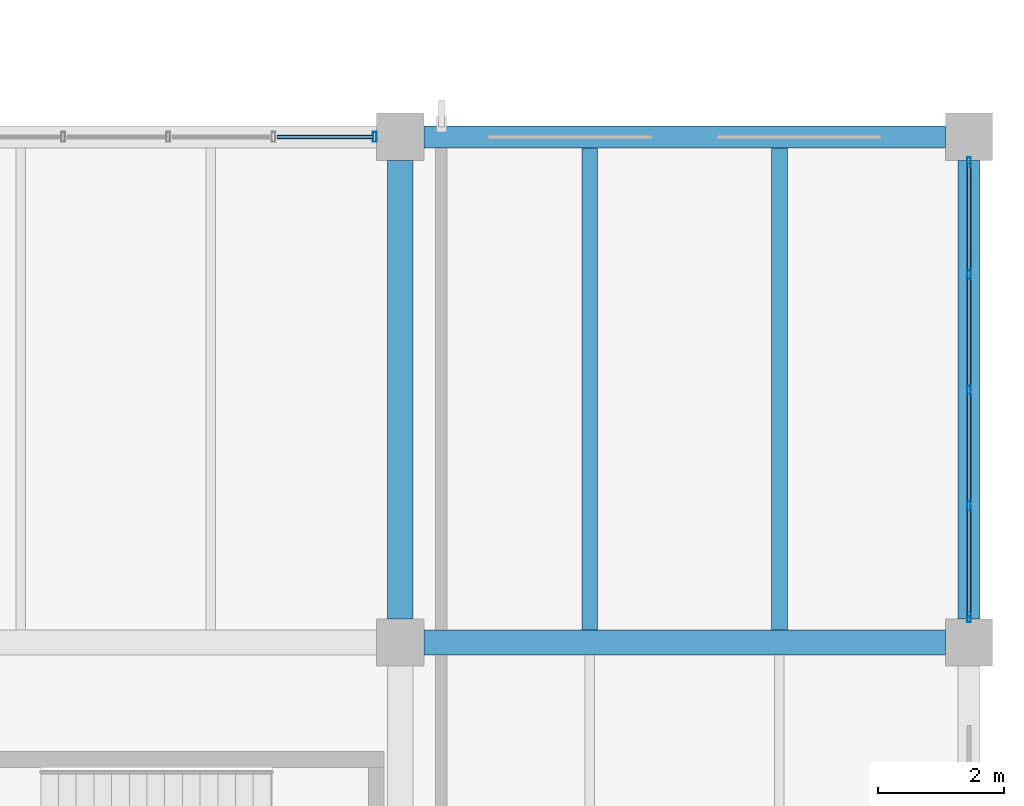
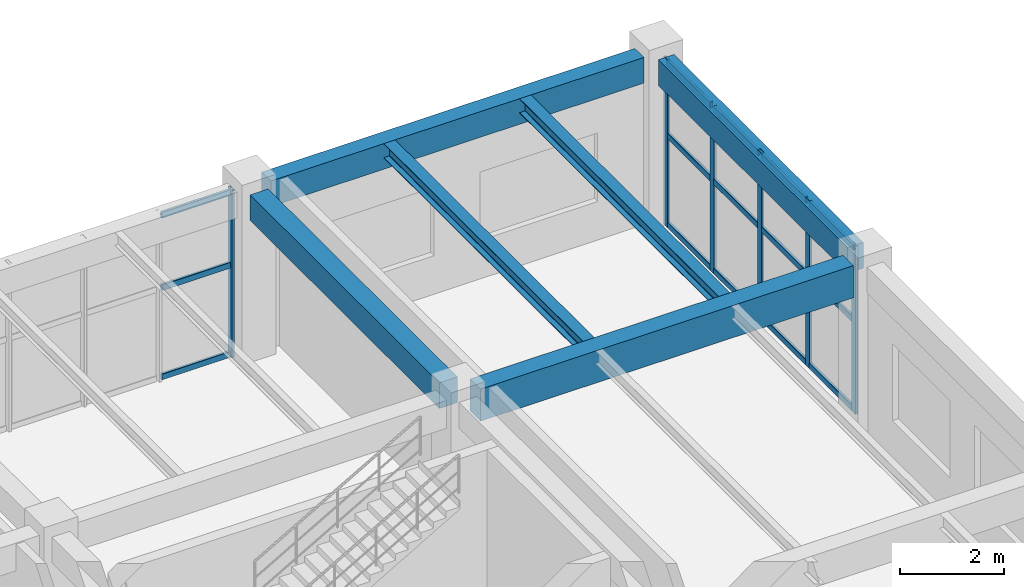
# One storey, part 113 of 148: 21 members, 6 beams, 2 elements without a shape of their own.
"""IFC4 building model written with IfcOpenShell, lengths in metres."""

from ifc_helpers import new_model, si_unit, derived_unit, direction, frame, origin, origin_2d, place, context, subcontext, project, spatial, rectangle, hollow_rectangle, i_section, extrude, material, material_profile, profile_set, type_object, element, aggregate, save


model = new_model("IFC4")

# Units and contexts
model_context = context("Model", 3, precision=1e-05, world=origin(), true_north=direction((0.0, 1.0)))
body_context = subcontext(model_context, "Body", "Model", "MODEL_VIEW")
ifc_project = project(units=[si_unit("LENGTHUNIT", "METRE"), si_unit("AREAUNIT", "SQUARE_METRE"), si_unit("VOLUMEUNIT", "CUBIC_METRE"), si_unit("PLANEANGLEUNIT", "RADIAN"), si_unit("MASSUNIT", "GRAM", prefix="KILO"), derived_unit("THERMALTRANSMITTANCEUNIT", [(si_unit("MASSUNIT", "GRAM", prefix="KILO"), 1), (si_unit("TIMEUNIT", "SECOND"), -3), (si_unit("THERMODYNAMICTEMPERATUREUNIT", "KELVIN"), -1)])], contexts=[model_context])

# Site, building, storey
site_placement = place(None, origin())
site = spatial("IfcSite", under=ifc_project, at=site_placement, CompositionType="ELEMENT")
building_placement = place(site_placement, origin())
building = spatial("IfcBuilding", under=site, at=building_placement, Name="Zhenchuan Archway Interchange", CompositionType="ELEMENT")
storey_placement = place(building_placement, frame((0.0, 0.0, 10.199951171875)))
storey = spatial("IfcBuildingStorey", under=building, at=storey_placement, Name="L02", CompositionType="ELEMENT", Elevation=10.199951171875)

# Beams
ifc_material_1 = material(Name="Concrete C40", Category="concrete")
ifc_material_profile_1 = material_profile(ifc_material_1, rectangle(XDim=0.39990234375, YDim=0.60009765625, at=origin_2d()), Name="RC 400x600")
ifc_profile_set_1 = profile_set([ifc_material_profile_1], Name="Concrete C40")
beam_type_1 = type_object("IfcBeamType", Name="BM_RC_400x600", PredefinedType="BEAM", material=ifc_profile_set_1)
beam_1_placement = place(storey_placement, frame((162.0, 96.375, 3.6201171875), z_axis=(0.0, 1.0, 0.0), x_axis=(-1.0, 0.0, 0.0)))
element("IfcBeam", 1, at=beam_1_placement, inside=storey, type_object=beam_type_1, Name="Beam 19:N-O (L02)", PredefinedType="BEAM", context=body_context, shape_type="SweptSolid", body=[
    extrude(rectangle(XDim=0.39990234375, YDim=0.60009765625, at=origin_2d()), origin(), (0.0, 0.0, 1.0), 7.25),
])
ifc_material_profile_2 = material_profile(ifc_material_1, rectangle(XDim=0.39990234375, YDim=0.75, at=origin_2d()), Name="RC 400x750")
ifc_profile_set_2 = profile_set([ifc_material_profile_2], Name="Concrete C40")
beam_type_2 = type_object("IfcBeamType", Name="BM_RC_400x750", PredefinedType="BEAM", material=ifc_profile_set_2)
beam_2_placement = place(storey_placement, frame((162.375, 96.0, 3.545166015625), z_axis=(1.0, 0.0, 0.0), x_axis=(0.0, 1.0, 0.0)))
element("IfcBeam", 2, at=beam_2_placement, inside=storey, type_object=beam_type_2, Name="Beam N:19-20 (L02)", PredefinedType="BEAM", context=body_context, shape_type="SweptSolid", body=[
    extrude(rectangle(XDim=0.39990234375, YDim=0.75, at=origin_2d()), origin(), (0.0, 0.0, 1.0), 8.25),
])

# Curtain wall, member
ifc_material_2 = material(Name="Anodised Aluminium", Category="aluminium")
curtain_wall_type_1 = type_object("IfcCurtainWallType", Name="CW_UNIT_3", PredefinedType="NOTDEFINED", material=ifc_material_2)
curtain_wall_1_placement = place(storey_placement, origin())
curtain_wall_1 = element("IfcCurtainWall", 3, at=curtain_wall_1_placement, inside=storey, type_object=curtain_wall_type_1, Name="Unitised curtain wall CW:L02:150", PredefinedType="NOTDEFINED")
ifc_material_profile_3 = material_profile(ifc_material_2, hollow_rectangle(XDim=0.06005859375, YDim=0.159912109375, WallThickness=0.00390625, InnerFilletRadius=0.00390625, OuterFilletRadius=0.008056640625, at=origin_2d()), Name="ALU 160x60x4")
ifc_profile_set_3 = profile_set([ifc_material_profile_3], Name="Anodised Aluminium")
member_type_1 = type_object("IfcMemberType", Name="CW_MUL_150", PredefinedType="MULLION", material=ifc_profile_set_3)
member_1_placement = place(storey_placement, frame((161.596923828125, 104.0, 0.0), z_axis=(0.0, 0.0, 1.0), x_axis=(1.0, 0.0, 0.0)))
member_1 = element("IfcMember", 4, at=member_1_placement, type_object=member_type_1, Name="CW:L02:150 mullion 5", PredefinedType="MULLION", context=body_context, shape_type="SweptSolid", body=[
    extrude(hollow_rectangle(XDim=0.06005859375, YDim=0.159912109375, WallThickness=0.00390625, InnerFilletRadius=0.00390625, OuterFilletRadius=0.008056640625, at=origin_2d()), origin(), (0.0, 0.0, 1.0), 3.920166015625),
])

# Curtain wall, members
curtain_wall_type_2 = type_object("IfcCurtainWallType", Name="CW_UNIT_4", PredefinedType="NOTDEFINED", material=ifc_material_2)
curtain_wall_2_placement = place(storey_placement, origin())
curtain_wall_2 = element("IfcCurtainWall", 5, at=curtain_wall_2_placement, inside=storey, type_object=curtain_wall_type_2, Name="Unitised curtain wall CW:L02:151", PredefinedType="NOTDEFINED")
member_2_placement = place(storey_placement, frame((171.0, 103.596923828125, 0.0), z_axis=(0.0, 0.0, 1.0), x_axis=(1.0, 0.0, 0.0)))
member_2 = element("IfcMember", 6, at=member_2_placement, type_object=member_type_1, Name="CW:L02:151 mullion 0", PredefinedType="MULLION", context=body_context, shape_type="SweptSolid", body=[
    extrude(hollow_rectangle(XDim=0.06005859375, YDim=0.159912109375, WallThickness=0.00390625, InnerFilletRadius=0.00390625, OuterFilletRadius=0.008056640625, at=origin_2d()), origin(), (0.0, 0.0, 1.0), 3.920166015625),
])
member_3_placement = place(storey_placement, frame((171.0, 101.82861328125, 0.0), z_axis=(0.0, 0.0, 1.0), x_axis=(1.0, 0.0, 0.0)))
member_3 = element("IfcMember", 7, at=member_3_placement, type_object=member_type_1, Name="CW:L02:151 mullion 1", PredefinedType="MULLION", context=body_context, shape_type="SweptSolid", body=[
    extrude(hollow_rectangle(XDim=0.06005859375, YDim=0.159912109375, WallThickness=0.00390625, InnerFilletRadius=0.00390625, OuterFilletRadius=0.008056640625, at=origin_2d()), origin(), (0.0, 0.0, 1.0), 3.920166015625),
])
member_4_placement = place(storey_placement, frame((171.0, 100.0, 0.0), z_axis=(0.0, 0.0, 1.0), x_axis=(1.0, 0.0, 0.0)))
member_4 = element("IfcMember", 8, at=member_4_placement, type_object=member_type_1, Name="CW:L02:151 mullion 2", PredefinedType="MULLION", context=body_context, shape_type="SweptSolid", body=[
    extrude(hollow_rectangle(XDim=0.06005859375, YDim=0.159912109375, WallThickness=0.00390625, InnerFilletRadius=0.00390625, OuterFilletRadius=0.008056640625, at=origin_2d()), origin(), (0.0, 0.0, 1.0), 3.920166015625),
])
member_5_placement = place(storey_placement, frame((171.0, 98.17138671875, 0.0), z_axis=(0.0, 0.0, 1.0), x_axis=(1.0, 0.0, 0.0)))
member_5 = element("IfcMember", 9, at=member_5_placement, type_object=member_type_1, Name="CW:L02:151 mullion 3", PredefinedType="MULLION", context=body_context, shape_type="SweptSolid", body=[
    extrude(hollow_rectangle(XDim=0.06005859375, YDim=0.159912109375, WallThickness=0.00390625, InnerFilletRadius=0.00390625, OuterFilletRadius=0.008056640625, at=origin_2d()), origin(), (0.0, 0.0, 1.0), 3.920166015625),
])
member_6_placement = place(storey_placement, frame((171.0, 96.403076171875, 0.0), z_axis=(0.0, 0.0, 1.0), x_axis=(1.0, 0.0, 0.0)))
member_6 = element("IfcMember", 10, at=member_6_placement, type_object=member_type_1, Name="CW:L02:151 mullion 4", PredefinedType="MULLION", context=body_context, shape_type="SweptSolid", body=[
    extrude(hollow_rectangle(XDim=0.06005859375, YDim=0.159912109375, WallThickness=0.00390625, InnerFilletRadius=0.00390625, OuterFilletRadius=0.008056640625, at=origin_2d()), origin(), (0.0, 0.0, 1.0), 3.920166015625),
])

# Member
ifc_material_profile_4 = material_profile(ifc_material_2, hollow_rectangle(XDim=0.06005859375, YDim=0.139892578125, WallThickness=0.00341796875, InnerFilletRadius=0.00341796875, OuterFilletRadius=0.007080078125, at=origin_2d()), Name="ALU 140x60x3.5")
ifc_profile_set_4 = profile_set([ifc_material_profile_4], Name="Anodised Aluminium")
member_type_2 = type_object("IfcMemberType", Name="CW_TRN_140", PredefinedType="USERDEFINED", material=ifc_profile_set_4)
member_7_placement = place(storey_placement, frame((160.05419921875, 104.0, 0.06005859375), z_axis=(1.0, 0.0, 0.0), x_axis=(0.0, 1.0, 0.0)))
member_7 = element("IfcMember", 11, at=member_7_placement, type_object=member_type_2, Name="CW:L02:150 transom 4-1", ObjectType="TRANSOM", PredefinedType="USERDEFINED", context=body_context, shape_type="SweptSolid", body=[
    extrude(hollow_rectangle(XDim=0.06005859375, YDim=0.139892578125, WallThickness=0.00341796875, InnerFilletRadius=0.00341796875, OuterFilletRadius=0.007080078125, at=origin_2d()), origin(), (0.0, 0.0, 1.0), 1.522705078125),
])

member_8_placement = place(storey_placement, frame((160.05419921875, 104.0, 2.14501953125), z_axis=(1.0, 0.0, 0.0), x_axis=(0.0, 1.0, 0.0)))
member_8 = element("IfcMember", 12, at=member_8_placement, type_object=member_type_2, Name="CW:L02:150 transom 4-2", ObjectType="TRANSOM", PredefinedType="USERDEFINED", context=body_context, shape_type="SweptSolid", body=[
    extrude(hollow_rectangle(XDim=0.06005859375, YDim=0.139892578125, WallThickness=0.00341796875, InnerFilletRadius=0.00341796875, OuterFilletRadius=0.007080078125, at=origin_2d()), origin(), (0.0, 0.0, 1.0), 1.522705078125),
])

member_9_placement = place(storey_placement, frame((160.05419921875, 104.0, 3.840087890625), z_axis=(1.0, 0.0, 0.0), x_axis=(0.0, 1.0, 0.0)))
member_9 = element("IfcMember", 13, at=member_9_placement, type_object=member_type_2, Name="CW:L02:150 transom 4-3", ObjectType="TRANSOM", PredefinedType="USERDEFINED", context=body_context, shape_type="SweptSolid", body=[
    extrude(hollow_rectangle(XDim=0.06005859375, YDim=0.139892578125, WallThickness=0.00341796875, InnerFilletRadius=0.00341796875, OuterFilletRadius=0.007080078125, at=origin_2d()), origin(), (0.0, 0.0, 1.0), 1.522705078125),
])

aggregate(curtain_wall_1, [member_1, member_7, member_8, member_9])

member_10_placement = place(storey_placement, frame((171.0, 103.576904296875, 0.06005859375), z_axis=(0.0, -1.0, 0.0), x_axis=(1.0, 0.0, 0.0)))
member_10 = element("IfcMember", 14, at=member_10_placement, type_object=member_type_2, Name="CW:L02:151 transom 0-1", ObjectType="TRANSOM", PredefinedType="USERDEFINED", context=body_context, shape_type="SweptSolid", body=[
    extrude(hollow_rectangle(XDim=0.06005859375, YDim=0.139892578125, WallThickness=0.00341796875, InnerFilletRadius=0.00341796875, OuterFilletRadius=0.007080078125, at=origin_2d()), origin(), (0.0, 0.0, 1.0), 1.6884765625),
])

member_11_placement = place(storey_placement, frame((171.0, 103.576904296875, 2.14501953125), z_axis=(0.0, -1.0, 0.0), x_axis=(1.0, 0.0, 0.0)))
member_11 = element("IfcMember", 15, at=member_11_placement, type_object=member_type_2, Name="CW:L02:151 transom 0-2", ObjectType="TRANSOM", PredefinedType="USERDEFINED", context=body_context, shape_type="SweptSolid", body=[
    extrude(hollow_rectangle(XDim=0.06005859375, YDim=0.139892578125, WallThickness=0.00341796875, InnerFilletRadius=0.00341796875, OuterFilletRadius=0.007080078125, at=origin_2d()), origin(), (0.0, 0.0, 1.0), 1.6884765625),
])

member_12_placement = place(storey_placement, frame((171.0, 103.576904296875, 3.840087890625), z_axis=(0.0, -1.0, 0.0), x_axis=(1.0, 0.0, 0.0)))
member_12 = element("IfcMember", 16, at=member_12_placement, type_object=member_type_2, Name="CW:L02:151 transom 0-3", ObjectType="TRANSOM", PredefinedType="USERDEFINED", context=body_context, shape_type="SweptSolid", body=[
    extrude(hollow_rectangle(XDim=0.06005859375, YDim=0.139892578125, WallThickness=0.00341796875, InnerFilletRadius=0.00341796875, OuterFilletRadius=0.007080078125, at=origin_2d()), origin(), (0.0, 0.0, 1.0), 1.6884765625),
])

member_13_placement = place(storey_placement, frame((171.0, 101.7685546875, 0.06005859375), z_axis=(0.0, -1.0, 0.0), x_axis=(1.0, 0.0, 0.0)))
member_13 = element("IfcMember", 17, at=member_13_placement, type_object=member_type_2, Name="CW:L02:151 transom 1-1", ObjectType="TRANSOM", PredefinedType="USERDEFINED", context=body_context, shape_type="SweptSolid", body=[
    extrude(hollow_rectangle(XDim=0.06005859375, YDim=0.139892578125, WallThickness=0.00341796875, InnerFilletRadius=0.00341796875, OuterFilletRadius=0.007080078125, at=origin_2d()), origin(), (0.0, 0.0, 1.0), 1.70849609375),
])

member_14_placement = place(storey_placement, frame((171.0, 101.7685546875, 2.14501953125), z_axis=(0.0, -1.0, 0.0), x_axis=(1.0, 0.0, 0.0)))
member_14 = element("IfcMember", 18, at=member_14_placement, type_object=member_type_2, Name="CW:L02:151 transom 1-2", ObjectType="TRANSOM", PredefinedType="USERDEFINED", context=body_context, shape_type="SweptSolid", body=[
    extrude(hollow_rectangle(XDim=0.06005859375, YDim=0.139892578125, WallThickness=0.00341796875, InnerFilletRadius=0.00341796875, OuterFilletRadius=0.007080078125, at=origin_2d()), origin(), (0.0, 0.0, 1.0), 1.70849609375),
])

member_15_placement = place(storey_placement, frame((171.0, 101.7685546875, 3.840087890625), z_axis=(0.0, -1.0, 0.0), x_axis=(1.0, 0.0, 0.0)))
member_15 = element("IfcMember", 19, at=member_15_placement, type_object=member_type_2, Name="CW:L02:151 transom 1-3", ObjectType="TRANSOM", PredefinedType="USERDEFINED", context=body_context, shape_type="SweptSolid", body=[
    extrude(hollow_rectangle(XDim=0.06005859375, YDim=0.139892578125, WallThickness=0.00341796875, InnerFilletRadius=0.00341796875, OuterFilletRadius=0.007080078125, at=origin_2d()), origin(), (0.0, 0.0, 1.0), 1.70849609375),
])

member_16_placement = place(storey_placement, frame((171.0, 99.93994140625, 0.06005859375), z_axis=(0.0, -1.0, 0.0), x_axis=(1.0, 0.0, 0.0)))
member_16 = element("IfcMember", 20, at=member_16_placement, type_object=member_type_2, Name="CW:L02:151 transom 2-1", ObjectType="TRANSOM", PredefinedType="USERDEFINED", context=body_context, shape_type="SweptSolid", body=[
    extrude(hollow_rectangle(XDim=0.06005859375, YDim=0.139892578125, WallThickness=0.00341796875, InnerFilletRadius=0.00341796875, OuterFilletRadius=0.007080078125, at=origin_2d()), origin(), (0.0, 0.0, 1.0), 1.70849609375),
])

member_17_placement = place(storey_placement, frame((171.0, 99.93994140625, 2.14501953125), z_axis=(0.0, -1.0, 0.0), x_axis=(1.0, 0.0, 0.0)))
member_17 = element("IfcMember", 21, at=member_17_placement, type_object=member_type_2, Name="CW:L02:151 transom 2-2", ObjectType="TRANSOM", PredefinedType="USERDEFINED", context=body_context, shape_type="SweptSolid", body=[
    extrude(hollow_rectangle(XDim=0.06005859375, YDim=0.139892578125, WallThickness=0.00341796875, InnerFilletRadius=0.00341796875, OuterFilletRadius=0.007080078125, at=origin_2d()), origin(), (0.0, 0.0, 1.0), 1.70849609375),
])

member_18_placement = place(storey_placement, frame((171.0, 99.93994140625, 3.840087890625), z_axis=(0.0, -1.0, 0.0), x_axis=(1.0, 0.0, 0.0)))
member_18 = element("IfcMember", 22, at=member_18_placement, type_object=member_type_2, Name="CW:L02:151 transom 2-3", ObjectType="TRANSOM", PredefinedType="USERDEFINED", context=body_context, shape_type="SweptSolid", body=[
    extrude(hollow_rectangle(XDim=0.06005859375, YDim=0.139892578125, WallThickness=0.00341796875, InnerFilletRadius=0.00341796875, OuterFilletRadius=0.007080078125, at=origin_2d()), origin(), (0.0, 0.0, 1.0), 1.70849609375),
])

member_19_placement = place(storey_placement, frame((171.0, 98.111572265625, 0.06005859375), z_axis=(0.0, -1.0, 0.0), x_axis=(1.0, 0.0, 0.0)))
member_19 = element("IfcMember", 23, at=member_19_placement, type_object=member_type_2, Name="CW:L02:151 transom 3-1", ObjectType="TRANSOM", PredefinedType="USERDEFINED", context=body_context, shape_type="SweptSolid", body=[
    extrude(hollow_rectangle(XDim=0.06005859375, YDim=0.139892578125, WallThickness=0.00341796875, InnerFilletRadius=0.00341796875, OuterFilletRadius=0.007080078125, at=origin_2d()), origin(), (0.0, 0.0, 1.0), 1.6884765625),
])

member_20_placement = place(storey_placement, frame((171.0, 98.111572265625, 2.14501953125), z_axis=(0.0, -1.0, 0.0), x_axis=(1.0, 0.0, 0.0)))
member_20 = element("IfcMember", 24, at=member_20_placement, type_object=member_type_2, Name="CW:L02:151 transom 3-2", ObjectType="TRANSOM", PredefinedType="USERDEFINED", context=body_context, shape_type="SweptSolid", body=[
    extrude(hollow_rectangle(XDim=0.06005859375, YDim=0.139892578125, WallThickness=0.00341796875, InnerFilletRadius=0.00341796875, OuterFilletRadius=0.007080078125, at=origin_2d()), origin(), (0.0, 0.0, 1.0), 1.6884765625),
])

member_21_placement = place(storey_placement, frame((171.0, 98.111572265625, 3.840087890625), z_axis=(0.0, -1.0, 0.0), x_axis=(1.0, 0.0, 0.0)))
member_21 = element("IfcMember", 25, at=member_21_placement, type_object=member_type_2, Name="CW:L02:151 transom 3-3", ObjectType="TRANSOM", PredefinedType="USERDEFINED", context=body_context, shape_type="SweptSolid", body=[
    extrude(hollow_rectangle(XDim=0.06005859375, YDim=0.139892578125, WallThickness=0.00341796875, InnerFilletRadius=0.00341796875, OuterFilletRadius=0.007080078125, at=origin_2d()), origin(), (0.0, 0.0, 1.0), 1.6884765625),
])

aggregate(curtain_wall_2, [member_2, member_3, member_4, member_5, member_6, member_10, member_11, member_12, member_13, member_14, member_15, member_16, member_17, member_18, member_19, member_20, member_21])

# Beams
ifc_material_3 = material(Name="Steel Q355", Category="steel")
ifc_material_profile_5 = material_profile(ifc_material_3, i_section(OverallWidth=0.25, OverallDepth=0.340087890625, WebThickness=0.009033203125, FlangeThickness=0.013916015625, FilletRadius=0.01806640625, at=origin_2d()), Name="HM 340x250")
ifc_profile_set_5 = profile_set([ifc_material_profile_5], Name="Steel Q355")
beam_type_3 = type_object("IfcBeamType", Name="JST_STL_HM340", PredefinedType="JOIST", material=ifc_profile_set_5)
for number, where, z_axis, x_axis, name in (
    (26, (165.0, 96.199951171875, 3.75), (0.0, 1.0, 0.0), (-1.0, 0.0, 0.0), "Secondary joist 19-20/N-O #1 (L02)"),
    (27, (168.0, 96.199951171875, 3.75), (0.0, 1.0, 0.0), (-1.0, 0.0, 0.0), "Secondary joist 19-20/N-O #2 (L02)"),
):
    element("IfcBeam", number, at=place(storey_placement, frame(where, z_axis=z_axis, x_axis=x_axis)), inside=storey, type_object=beam_type_3, Name=name, PredefinedType="JOIST", context=body_context, shape_type="SweptSolid", body=[
        extrude(i_section(OverallWidth=0.25, OverallDepth=0.340087890625, WebThickness=0.009033203125, FlangeThickness=0.013916015625, FilletRadius=0.01806640625, at=origin_2d()), origin(), (0.0, 0.0, 1.0), 7.625),
    ])
ifc_material_profile_6 = material_profile(ifc_material_1, rectangle(XDim=0.35009765625, YDim=0.60009765625, at=origin_2d()), Name="RC 350x600")
ifc_profile_set_6 = profile_set([ifc_material_profile_6], Name="Concrete C40")
beam_type_4 = type_object("IfcBeamType", Name="SP_RC_350x600", PredefinedType="SPANDREL", material=ifc_profile_set_6)
beam_3_placement = place(storey_placement, frame((162.375, 104.0, 3.6201171875), z_axis=(1.0, 0.0, 0.0), x_axis=(0.0, 1.0, 0.0)))
element("IfcBeam", 28, at=beam_3_placement, inside=storey, type_object=beam_type_4, Name="Beam O:19-20 (L02)", PredefinedType="SPANDREL", context=body_context, shape_type="SweptSolid", body=[
    extrude(rectangle(XDim=0.35009765625, YDim=0.60009765625, at=origin_2d()), origin(), (0.0, 0.0, 1.0), 8.25),
])
beam_4_placement = place(storey_placement, frame((171.0, 96.375, 3.6201171875), z_axis=(0.0, 1.0, 0.0), x_axis=(-1.0, 0.0, 0.0)))
element("IfcBeam", 29, at=beam_4_placement, inside=storey, type_object=beam_type_4, Name="Beam 20:N-O (L02)", PredefinedType="SPANDREL", context=body_context, shape_type="SweptSolid", body=[
    extrude(rectangle(XDim=0.35009765625, YDim=0.60009765625, at=origin_2d()), origin(), (0.0, 0.0, 1.0), 7.25),
])

save(model, "model.ifc")
